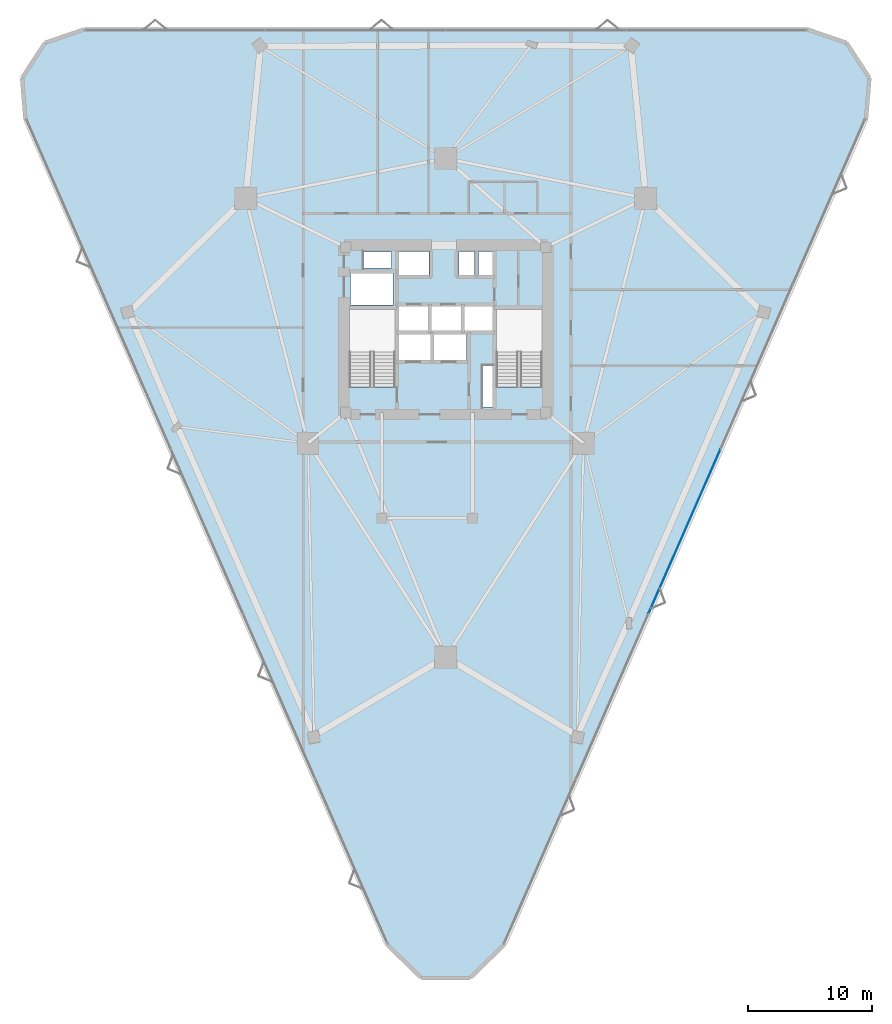
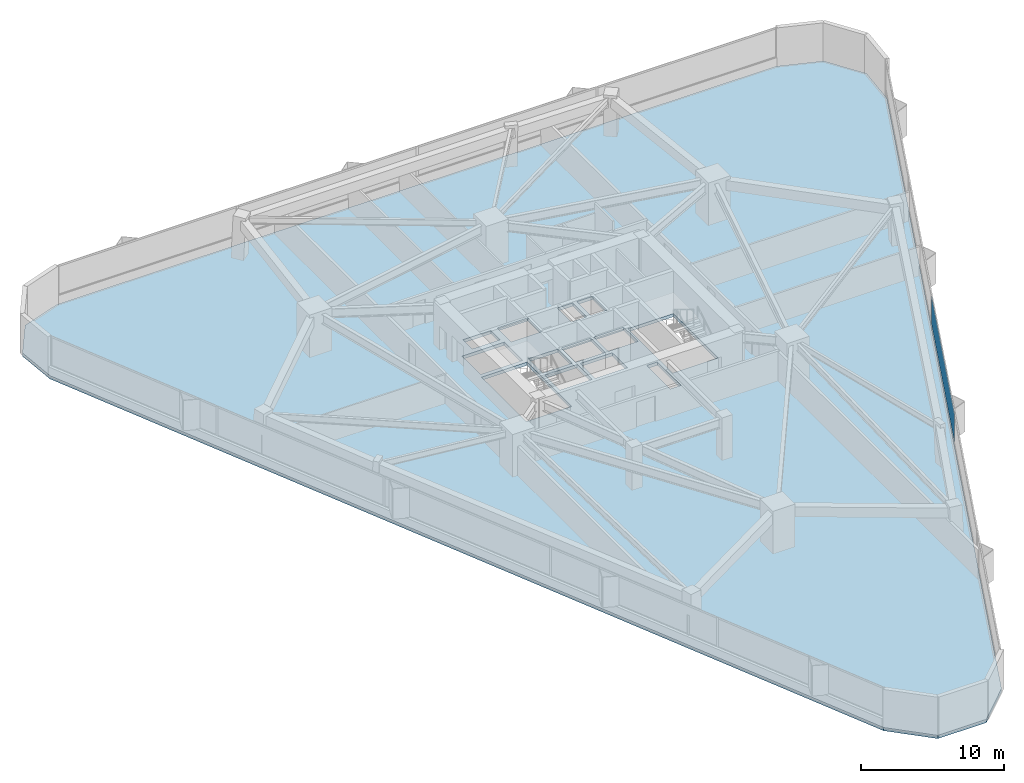
# One storey, part 15 of 20: 1 plate, 1 slab, 1 element without a shape of its own.
"""IFC4 building model written with IfcOpenShell, lengths in metres."""

from ifc_helpers import new_model, si_unit, direction, frame, origin, origin_2d, place, context, subcontext, project, spatial, polyline, rectangle, outline, extrude, material, layer, layer_set, type_object, element, aggregate, save


model = new_model("IFC4")

# Units and contexts
model_context = context("Model", 3, precision=1e-05, world=origin(), true_north=direction((0.0, 1.0)))
body_context = subcontext(model_context, "Body", "Model", "MODEL_VIEW")
ifc_project = project(units=[si_unit("LENGTHUNIT", "METRE"), si_unit("AREAUNIT", "SQUARE_METRE"), si_unit("VOLUMEUNIT", "CUBIC_METRE"), si_unit("PLANEANGLEUNIT", "RADIAN"), si_unit("MASSUNIT", "GRAM", prefix="KILO")], contexts=[model_context])

# Site, building, storey
site_placement = place(None, origin())
site = spatial("IfcSite", under=ifc_project, at=site_placement, CompositionType="ELEMENT")
building_placement = place(site_placement, origin())
building = spatial("IfcBuilding", under=site, at=building_placement, Name="Talyreon Biosciences Tower", CompositionType="ELEMENT")
storey_placement = place(building_placement, frame((0.0, 0.0, 41.050048828125)))
storey = spatial("IfcBuildingStorey", under=building, at=storey_placement, Name="L10", CompositionType="ELEMENT", Elevation=41.050048828125)

# Curtain wall, plate
ifc_material_1 = material(Name="Thermally broken aluminium and low-E glazing", Category="aluminium")
ifc_layer_1 = layer(ifc_material_1, 0.195068359375)
ifc_layer_set_1 = layer_set([ifc_layer_1], Name="Thermally broken aluminium and low-E glazing")
curtain_wall_type = type_object("IfcCurtainWallType", Name="CurtainWall_Zone1WetLab", PredefinedType="NOTDEFINED", material=ifc_layer_set_1)
curtain_wall_placement = place(storey_placement, origin())
curtain_wall = element("IfcCurtainWall", 1, at=curtain_wall_placement, inside=storey, type_object=curtain_wall_type, Name="L10 Unitised Curtain Wall FCW-L10-08", PredefinedType="NOTDEFINED")
ifc_material_2 = material(Name="Triple-silver low-E insulated glazing", Category="glass")
ifc_layer_2 = layer(ifc_material_2, 0.031982421875)
ifc_layer_set_2 = layer_set([ifc_layer_2], Name="Triple-silver low-E insulated glazing")
plate_type = type_object("IfcPlateType", Name="CWGlazingPanel_32", PredefinedType="CURTAIN_PANEL", material=ifc_layer_set_2)
plate_placement = place(storey_placement, frame((85.212890625, 51.777587890625, 0.875), z_axis=(0.0, 0.0, 1.0), x_axis=(-0.401222995321, -0.915980408101, 0.0)))
plate = element("IfcPlate", 2, at=plate_placement, type_object=plate_type, Name="CW2 panel 3.1", PredefinedType="CURTAIN_PANEL", context=body_context, shape_type="SweptSolid", body=[
    extrude(rectangle(XDim=14.413818359375, YDim=0.031982421875, at=origin_2d()), origin(), (0.0, 0.0, 1.0), 2.43505859375),
])
aggregate(curtain_wall, [plate])

# Slab
ifc_material_3 = material(Name="Concrete C40/50", Category="concrete")
ifc_layer_3 = layer(ifc_material_3, 0.27490234375)
ifc_layer_set_3 = layer_set([ifc_layer_3], Name="Concrete C40/50")
slab_type = type_object("IfcSlabType", Name="WetLabFloorSlab_275", PredefinedType="FLOOR", material=ifc_layer_set_3)
slab_placement = place(storey_placement, frame((0.0, 0.0, -0.275146484375)))
element("IfcSlab", 3, at=slab_placement, inside=storey, type_object=slab_type, Name="L10 Structural Floor Slab", PredefinedType="FLOOR", context=body_context, shape_type="SweptSolid", body=[
    extrude(outline(polyline([(61.23681640625, 18.589599609375), (32.19091796875, 84.901123046875), (31.913330078125, 88.265625), (33.760498046875, 91.091552734375), (36.953857421875, 92.1875), (95.046142578125, 92.1875), (98.239501953125, 91.091552734375), (100.086669921875, 88.265625), (99.80908203125, 84.901123046875), (70.76318359375, 18.589599609375), (67.95751953125, 15.858642578125), (64.04248046875, 15.858642578125), (61.23681640625, 18.589599609375)]), holes=[polyline([(61.929931640625, 69.64990234375), (61.929931640625, 63.407958984375), (58.25, 63.407958984375), (58.25, 69.64990234375), (61.929931640625, 69.64990234375)]), polyline([(64.800048828125, 65.550048828125), (62.199951171875, 65.550048828125), (62.199951171875, 67.64990234375), (64.800048828125, 67.64990234375), (64.800048828125, 65.550048828125)]), polyline([(64.60009765625, 67.949951171875), (62.199951171875, 67.949951171875), (62.199951171875, 69.949951171875), (64.60009765625, 69.949951171875), (64.60009765625, 67.949951171875)]), polyline([(67.25, 69.949951171875), (67.25, 67.949951171875), (64.85009765625, 67.949951171875), (64.85009765625, 69.949951171875), (67.25, 69.949951171875)]), polyline([(61.75, 69.97998046875), (58.35009765625, 69.97998046875), (58.35009765625, 72.550048828125), (61.75, 72.550048828125), (61.75, 69.97998046875)]), polyline([(64.64990234375, 72.35009765625), (62.199951171875, 72.35009765625), (62.199951171875, 74.300048828125), (64.64990234375, 74.300048828125), (64.64990234375, 72.35009765625)]), polyline([(61.64990234375, 74.25), (61.64990234375, 72.9599609375), (59.39990234375, 72.9599609375), (59.39990234375, 74.25), (61.64990234375, 74.25)]), polyline([(69.820068359375, 61.800048828125), (68.9599609375, 61.800048828125), (68.9599609375, 65.10009765625), (69.820068359375, 65.10009765625), (69.820068359375, 61.800048828125)]), polyline([(73.75, 63.407958984375), (70.070068359375, 63.407958984375), (70.070068359375, 69.64990234375), (73.75, 69.64990234375), (73.75, 63.407958984375)]), polyline([(67.64990234375, 65.550048828125), (65.050048828125, 65.550048828125), (65.050048828125, 67.64990234375), (67.64990234375, 67.64990234375), (67.64990234375, 65.550048828125)]), polyline([(69.89990234375, 67.949951171875), (67.5, 67.949951171875), (67.5, 69.949951171875), (69.89990234375, 69.949951171875), (69.89990234375, 67.949951171875)]), polyline([(68.300048828125, 72.35009765625), (67.050048828125, 72.35009765625), (67.050048828125, 74.300048828125), (68.300048828125, 74.300048828125), (68.300048828125, 72.35009765625)]), polyline([(69.919921875, 72.35009765625), (68.6201171875, 72.35009765625), (68.6201171875, 74.300048828125), (69.919921875, 74.300048828125), (69.919921875, 72.35009765625)])]), origin(), (0.0, 0.0, 1.0), 0.275146484375),
])

save(model, "model.ifc")
